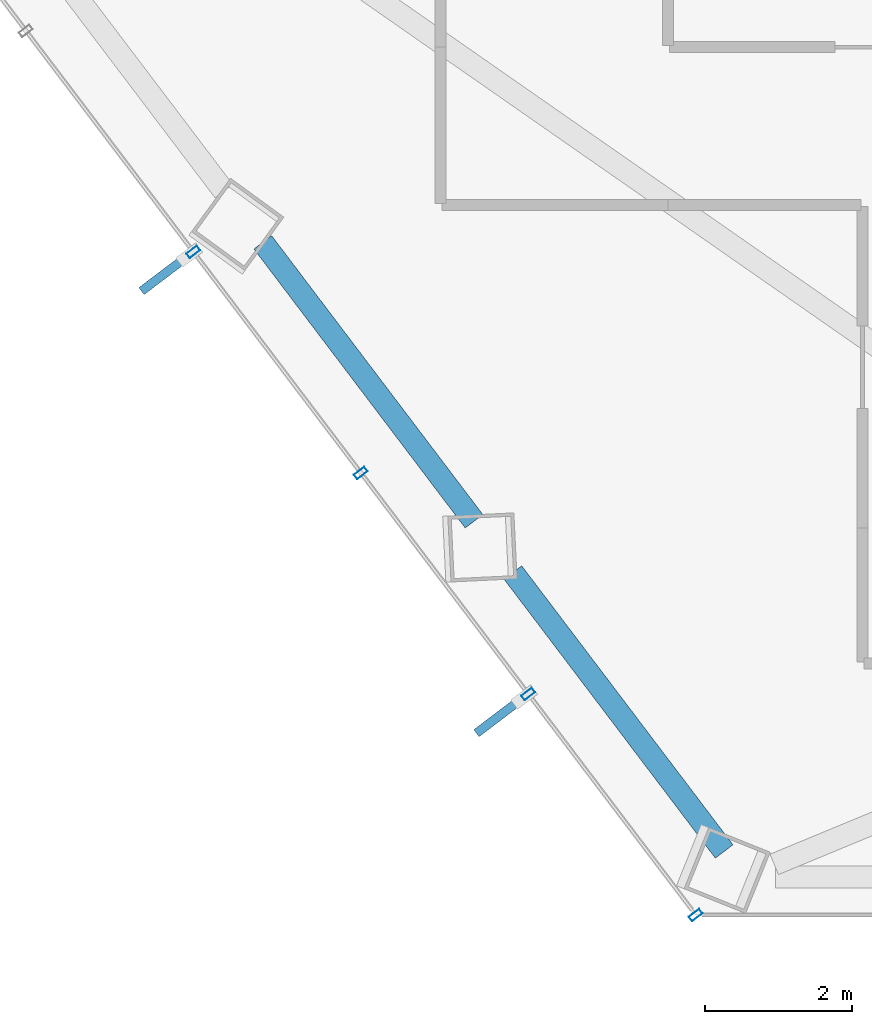
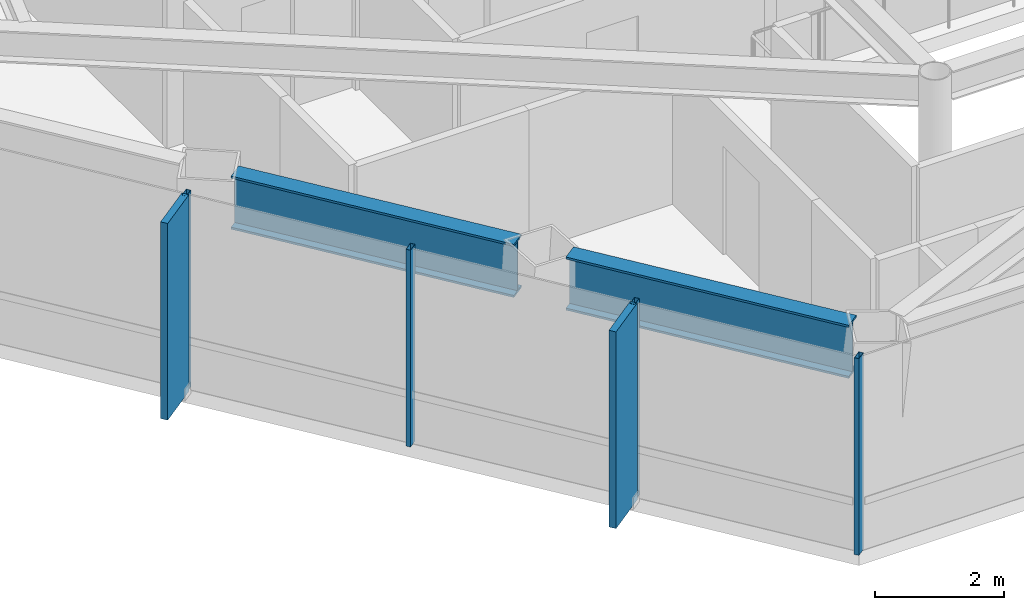
# One storey, part 2 of 25: 6 members, 2 beams, 1 element without a shape of its own.
"""IFC4 building model written with IfcOpenShell, lengths in metres."""

from ifc_helpers import new_model, si_unit, direction, frame, origin, origin_2d, place, context, subcontext, project, spatial, rectangle, hollow_rectangle, i_section, extrude, material, layer, layer_set, material_profile, profile_set, type_object, element, aggregate, save


model = new_model("IFC4")

# Units and contexts
model_context = context("Model", 3, precision=1e-05, world=origin(), true_north=direction((0.0, 1.0)))
body_context = subcontext(model_context, "Body", "Model", "MODEL_VIEW")
ifc_project = project(units=[si_unit("LENGTHUNIT", "METRE"), si_unit("AREAUNIT", "SQUARE_METRE"), si_unit("VOLUMEUNIT", "CUBIC_METRE"), si_unit("PLANEANGLEUNIT", "RADIAN"), si_unit("MASSUNIT", "GRAM", prefix="KILO")], contexts=[model_context])

# Site, building, storey
site_placement = place(None, origin())
site = spatial("IfcSite", under=ifc_project, at=site_placement, CompositionType="ELEMENT")
building_placement = place(site_placement, origin())
building = spatial("IfcBuilding", under=site, at=building_placement, Name="Zarrinselat Tower", CompositionType="ELEMENT")
storey_placement = place(building_placement, frame((0.0, 0.0, 105.06005859375)))
storey = spatial("IfcBuildingStorey", under=building, at=storey_placement, Name="L25", CompositionType="ELEMENT", Elevation=105.06005859375)

# Beams
ifc_material_1 = material(Name="Steel S460M", Category="steel")
ifc_material_profile_1 = material_profile(ifc_material_1, i_section(OverallWidth=0.302001953125, OverallDepth=1.008056640625, WebThickness=0.02099609375, FlangeThickness=0.0400390625, at=origin_2d()), Name="HEM 1000")
ifc_profile_set_1 = profile_set([ifc_material_profile_1], Name="Steel S460M")
beam_type = type_object("IfcBeamType", Name="BM-HEM1000", PredefinedType="BEAM", material=ifc_profile_set_1)
for number, where, z_axis, x_axis, name in (
    (1, (23.027587890625, 27.4912109375, 3.225830078125), (0.603851772902, -0.797096629251, 0.0), (0.797096629251, 0.603851772902, 0.0), "L25 Perimeter Spandrel Girder SP08"),
    (2, (26.435791015625, 22.992431640625, 3.225830078125), (0.603851772902, -0.797096629251, 0.0), (0.797096629251, 0.603851772902, 0.0), "L25 Perimeter Spandrel Girder SP09"),
):
    element("IfcBeam", number, at=place(storey_placement, frame(where, z_axis=z_axis, x_axis=x_axis)), inside=storey, type_object=beam_type, Name=name, PredefinedType="BEAM", context=body_context, shape_type="SweptSolid", body=[
        extrude(i_section(OverallWidth=0.302001953125, OverallDepth=1.008056640625, WebThickness=0.02099609375, FlangeThickness=0.0400390625, at=origin_2d()), origin(), (0.0, 0.0, 1.0), 4.76806640625),
    ])

# Curtain wall, members
ifc_material_2 = material(Name="Extruded Aluminium Alloy EN AW-6063 T6", Category="aluminium")
ifc_layer = layer(ifc_material_2, 0.18505859375)
ifc_layer_set = layer_set([ifc_layer], Name="Extruded Aluminium Alloy EN AW-6063 T6")
curtain_wall_type = type_object("IfcCurtainWallType", Name="CWS-OFF", PredefinedType="NOTDEFINED", material=ifc_layer_set)
curtain_wall_placement = place(storey_placement, origin())
curtain_wall = element("IfcCurtainWall", 3, at=curtain_wall_placement, inside=storey, type_object=curtain_wall_type, Name="L25 Unitised Curtain Wall CW-L25-E03", PredefinedType="NOTDEFINED")
ifc_material_3 = material(Name="Extruded Aluminium Alloy EN AW-6063 T6", Category="aluminium")
ifc_material_profile_2 = material_profile(ifc_material_3, hollow_rectangle(XDim=0.080078125, YDim=0.179931640625, WallThickness=0.0048828125, at=origin_2d()), Name="RHS 180x80x5")
ifc_profile_set_2 = profile_set([ifc_material_profile_2], Name="Extruded Aluminium Alloy EN AW-6063 T6")
member_type_1 = type_object("IfcMemberType", Name="MEM-CW-MUL", PredefinedType="MULLION", material=ifc_profile_set_2)
member_1_placement = place(storey_placement, frame((22.081298828125, 27.36083984375, 0.0), z_axis=(0.0, 0.0, 1.0), x_axis=(0.603857772927, -0.797092083812, 0.0)))
member_1 = element("IfcMember", 4, at=member_1_placement, type_object=member_type_1, Name="CW-L25-E03 Mullion 3", PredefinedType="MULLION", context=body_context, shape_type="SweptSolid", body=[
    extrude(hollow_rectangle(XDim=0.080078125, YDim=0.179931640625, WallThickness=0.0048828125, at=origin_2d()), origin(), (0.0, 0.0, 1.0), 3.72998046875),
])
member_2_placement = place(storey_placement, frame((24.36279296875, 24.34912109375, 0.0), z_axis=(0.0, 0.0, 1.0), x_axis=(0.603857772927, -0.797092083812, 0.0)))
member_2 = element("IfcMember", 5, at=member_2_placement, type_object=member_type_1, Name="CW-L25-E03 Mullion 4", PredefinedType="MULLION", context=body_context, shape_type="SweptSolid", body=[
    extrude(hollow_rectangle(XDim=0.080078125, YDim=0.179931640625, WallThickness=0.0048828125, at=origin_2d()), origin(), (0.0, 0.0, 1.0), 3.72998046875),
])
member_3_placement = place(storey_placement, frame((26.64453125, 21.33740234375, 0.0), z_axis=(0.0, 0.0, 1.0), x_axis=(0.603857772927, -0.797092083812, 0.0)))
member_3 = element("IfcMember", 6, at=member_3_placement, type_object=member_type_1, Name="CW-L25-E03 Mullion 5", PredefinedType="MULLION", context=body_context, shape_type="SweptSolid", body=[
    extrude(hollow_rectangle(XDim=0.080078125, YDim=0.179931640625, WallThickness=0.0048828125, at=origin_2d()), origin(), (0.0, 0.0, 1.0), 3.72998046875),
])
member_4_placement = place(storey_placement, frame((28.926025390625, 18.32568359375, 0.0), z_axis=(0.0, 0.0, 1.0), x_axis=(0.603857772927, -0.797092083812, 0.0)))
member_4 = element("IfcMember", 7, at=member_4_placement, type_object=member_type_1, Name="CW-L25-E03 Mullion 6", PredefinedType="MULLION", context=body_context, shape_type="SweptSolid", body=[
    extrude(hollow_rectangle(XDim=0.080078125, YDim=0.179931640625, WallThickness=0.0048828125, at=origin_2d()), origin(), (0.0, 0.0, 1.0), 3.72998046875),
])
ifc_material_4 = material(Name="Honed Cream Travertine Stone", Category="masonry")
ifc_material_profile_3 = material_profile(ifc_material_4, rectangle(XDim=0.1201171875, YDim=0.85009765625, at=origin_2d()), Name="FIN 850x120")
ifc_profile_set_3 = profile_set([ifc_material_profile_3], Name="Honed Cream Travertine Stone")
member_type_2 = type_object("IfcMemberType", Name="MEM-STONE-FIN", PredefinedType="USERDEFINED", material=ifc_profile_set_3)
member_5_placement = place(storey_placement, frame((21.714599609375, 27.0830078125, 0.0), z_axis=(0.0, 0.0, 1.0), x_axis=(-0.603857772927, 0.797092083812, 0.0)))
member_5 = element("IfcMember", 8, at=member_5_placement, type_object=member_type_2, Name="L25 Stone Shading Fin CW-L25-E03-03", ObjectType="FIN", PredefinedType="USERDEFINED", context=body_context, shape_type="SweptSolid", body=[
    extrude(rectangle(XDim=0.1201171875, YDim=0.85009765625, at=origin_2d()), origin(), (0.0, 0.0, 1.0), 3.72998046875),
])
member_6_placement = place(storey_placement, frame((26.27783203125, 21.0595703125, 0.0), z_axis=(0.0, 0.0, 1.0), x_axis=(-0.603857772927, 0.797092083812, 0.0)))
member_6 = element("IfcMember", 9, at=member_6_placement, type_object=member_type_2, Name="L25 Stone Shading Fin CW-L25-E03-05", ObjectType="FIN", PredefinedType="USERDEFINED", context=body_context, shape_type="SweptSolid", body=[
    extrude(rectangle(XDim=0.1201171875, YDim=0.85009765625, at=origin_2d()), origin(), (0.0, 0.0, 1.0), 3.72998046875),
])
aggregate(curtain_wall, [member_1, member_5, member_2, member_3, member_6, member_4])

save(model, "model.ifc")
